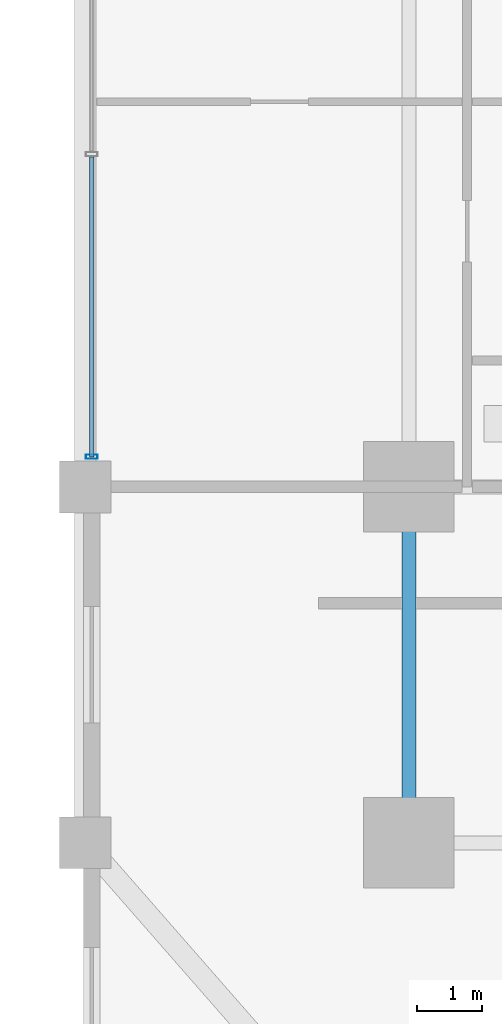
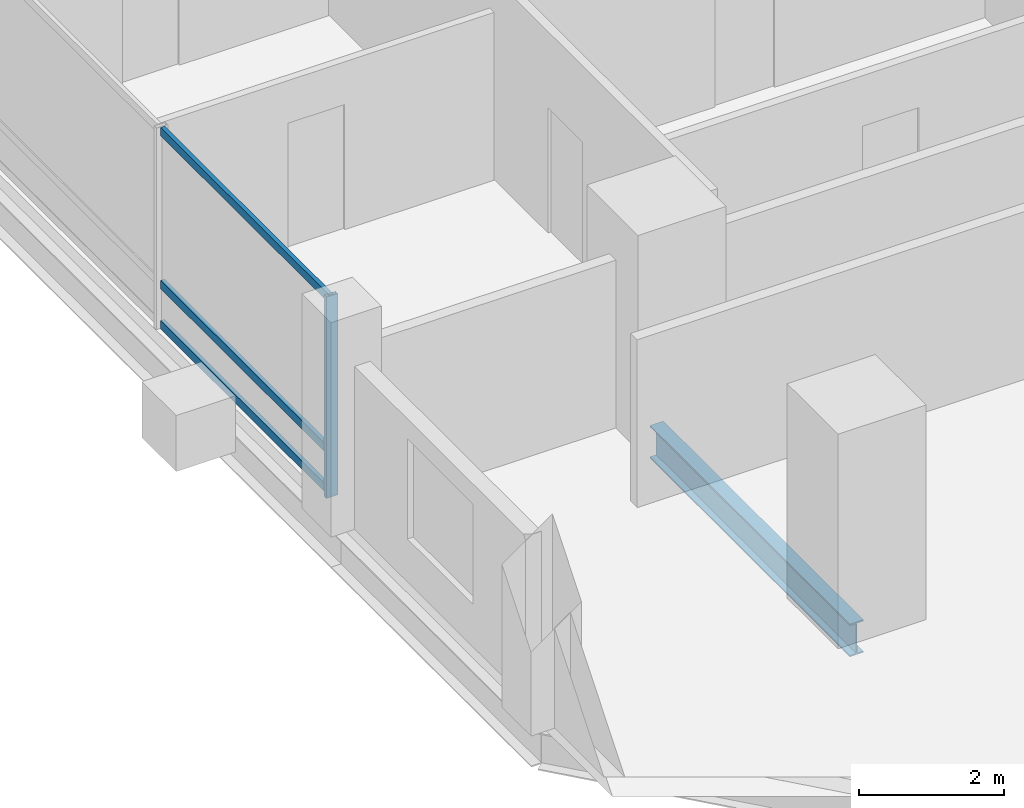
# One storey, part 4 of 23: 4 members, 1 beam, 1 element without a shape of its own.
"""IFC4 building model written with IfcOpenShell, lengths in metres."""

from ifc_helpers import new_model, si_unit, direction, frame, origin, origin_2d, place, context, subcontext, project, spatial, hollow_rectangle, i_section, extrude, material, layer, layer_set, material_profile, profile_set, type_object, element, aggregate, save


model = new_model("IFC4")

# Units and contexts
model_context = context("Model", 3, precision=1e-05, world=origin(), true_north=direction((0.0, 1.0)))
body_context = subcontext(model_context, "Body", "Model", "MODEL_VIEW")
ifc_project = project(units=[si_unit("LENGTHUNIT", "METRE"), si_unit("AREAUNIT", "SQUARE_METRE"), si_unit("VOLUMEUNIT", "CUBIC_METRE"), si_unit("PLANEANGLEUNIT", "RADIAN"), si_unit("MASSUNIT", "GRAM", prefix="KILO")], contexts=[model_context])

# Site, building, storey
site_placement = place(None, origin())
site = spatial("IfcSite", under=ifc_project, at=site_placement, CompositionType="ELEMENT")
building_placement = place(site_placement, origin())
building = spatial("IfcBuilding", under=site, at=building_placement, Name="Barlavira Tower and Art Museum", CompositionType="ELEMENT")
storey_placement = place(building_placement, frame((0.0, 0.0, 64.800048828125)))
storey = spatial("IfcBuildingStorey", under=building, at=storey_placement, Name="L15", CompositionType="ELEMENT", Elevation=64.800048828125)

# Curtain wall, members
ifc_material_1 = material(Name="Low-iron coastal laminated glass", Category="glass")
ifc_layer = layer(ifc_material_1, 0.179931640625, Name="Low-iron coastal laminated glass")
ifc_layer_set = layer_set([ifc_layer], Name="Low-iron coastal laminated glass")
curtain_wall_type = type_object("IfcCurtainWallType", Name="Pale-Metal Unitised Curtain Wall Zone 1", PredefinedType="NOTDEFINED", material=ifc_layer_set)
curtain_wall_placement = place(storey_placement, origin())
curtain_wall = element("IfcCurtainWall", 1, at=curtain_wall_placement, inside=storey, type_object=curtain_wall_type, Name="L15 Curtain Wall CW1-L15-W-B3", PredefinedType="NOTDEFINED")
ifc_material_2 = material(Name="Pale anodised aluminium", Category="aluminium")
ifc_material_profile_1 = material_profile(ifc_material_2, hollow_rectangle(XDim=0.06494140625, YDim=0.179931640625, WallThickness=0.00390625, at=origin_2d()), Name="ALU-MULL 65x180x4")
ifc_profile_set_1 = profile_set([ifc_material_profile_1], Name="Pale anodised aluminium")
member_type_1 = type_object("IfcMemberType", Name="Curtain Wall Pale-Metal Mullion 65x180", PredefinedType="MULLION", material=ifc_profile_set_1)
member_1_placement = place(storey_placement, frame((-21.89990234375, -7.034912109375, 0.0), z_axis=(0.0, 0.0, 1.0), x_axis=(0.0, -1.0, 0.0)))
member_1 = element("IfcMember", 2, at=member_1_placement, type_object=member_type_1, Name="CW1-L15-W-B3 Mullion 3", PredefinedType="MULLION", context=body_context, shape_type="SweptSolid", body=[
    extrude(hollow_rectangle(XDim=0.06494140625, YDim=0.179931640625, WallThickness=0.00390625, at=origin_2d()), origin(), (0.0, 0.0, 1.0), 3.3798828125),
])
ifc_material_profile_2 = material_profile(ifc_material_2, hollow_rectangle(XDim=0.06494140625, YDim=0.139892578125, WallThickness=0.00390625, at=origin_2d()), Name="ALU-TRAN 65x140x4")
ifc_profile_set_2 = profile_set([ifc_material_profile_2], Name="Pale anodised aluminium")
member_type_2 = type_object("IfcMemberType", Name="Curtain Wall Pale-Metal Transom 65x140", PredefinedType="USERDEFINED", material=ifc_profile_set_2)
member_2_placement = place(storey_placement, frame((-21.89990234375, -2.405029296875, 0.070068359375), z_axis=(0.0, -1.0, 0.0), x_axis=(1.0, 0.0, 0.0)))
member_2 = element("IfcMember", 3, at=member_2_placement, type_object=member_type_2, Name="CW1-L15-W-B3 Transom 2.1", ObjectType="TRANSOM", PredefinedType="USERDEFINED", context=body_context, shape_type="SweptSolid", body=[
    extrude(hollow_rectangle(XDim=0.06494140625, YDim=0.139892578125, WallThickness=0.00390625, at=origin_2d()), origin(), (0.0, 0.0, 1.0), 4.6298828125),
])
member_3_placement = place(storey_placement, frame((-21.89990234375, -2.405029296875, 0.743896484375), z_axis=(0.0, -1.0, 0.0), x_axis=(1.0, 0.0, 0.0)))
member_3 = element("IfcMember", 4, at=member_3_placement, type_object=member_type_2, Name="CW1-L15-W-B3 Transom 2.2", ObjectType="TRANSOM", PredefinedType="USERDEFINED", context=body_context, shape_type="SweptSolid", body=[
    extrude(hollow_rectangle(XDim=0.06494140625, YDim=0.139892578125, WallThickness=0.00390625, at=origin_2d()), origin(), (0.0, 0.0, 1.0), 4.6298828125),
])
member_4_placement = place(storey_placement, frame((-21.89990234375, -2.405029296875, 3.31005859375), z_axis=(0.0, -1.0, 0.0), x_axis=(1.0, 0.0, 0.0)))
member_4 = element("IfcMember", 5, at=member_4_placement, type_object=member_type_2, Name="CW1-L15-W-B3 Transom 2.3", ObjectType="TRANSOM", PredefinedType="USERDEFINED", context=body_context, shape_type="SweptSolid", body=[
    extrude(hollow_rectangle(XDim=0.06494140625, YDim=0.139892578125, WallThickness=0.00390625, at=origin_2d()), origin(), (0.0, 0.0, 1.0), 4.6298828125),
])
aggregate(curtain_wall, [member_1, member_2, member_3, member_4])

# Beam
ifc_material_3 = material(Name="Steel S355", Category="steel")
ifc_material_profile_3 = material_profile(ifc_material_3, i_section(OverallWidth=0.214111328125, OverallDepth=0.549072265625, WebThickness=0.0146484375, FlangeThickness=0.023681640625, at=origin_2d()), Name="W530x138.0")
ifc_profile_set_3 = profile_set([ifc_material_profile_3], Name="Steel S355")
beam_type = type_object("IfcBeamType", Name="Zone 1 Primary Floor Girder W530x138 Steel S355", PredefinedType="BEAM", material=ifc_profile_set_3)
beam_placement = place(storey_placement, frame((-17.0, -13.0, -0.49462890625), z_axis=(0.0, 1.0, 0.0), x_axis=(-1.0, 0.0, 0.0)))
element("IfcBeam", 6, at=beam_placement, inside=storey, type_object=beam_type, Name="L15 Girder M-W1", PredefinedType="BEAM", context=body_context, shape_type="SweptSolid", body=[
    extrude(i_section(OverallWidth=0.214111328125, OverallDepth=0.549072265625, WebThickness=0.0146484375, FlangeThickness=0.023681640625, at=origin_2d()), origin(), (0.0, 0.0, 1.0), 5.5),
])

save(model, "model.ifc")
